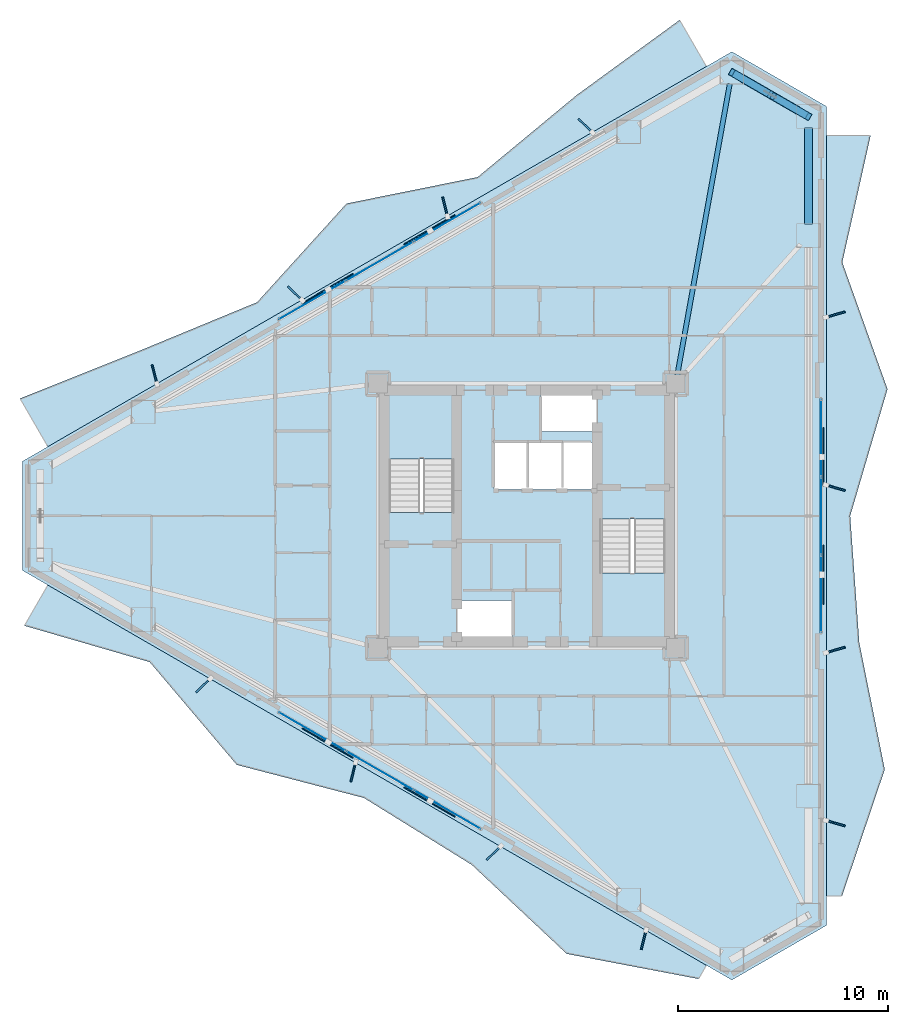
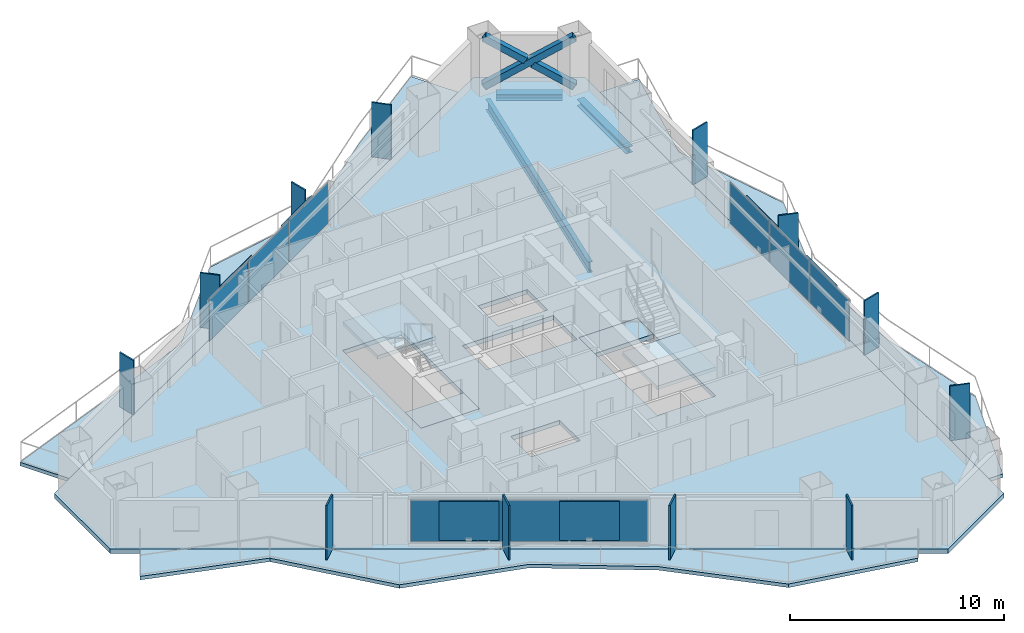
# One storey, part 14 of 23: 27 plates, 8 slabs, 3 beams, 3 members, 5 elements without a shape of their own.
"""IFC4 building model written with IfcOpenShell, lengths in metres."""

from ifc_helpers import new_model, si_unit, direction, frame, origin, origin_2d, place, context, subcontext, project, spatial, polyline, rectangle, hollow_rectangle, i_section, outline, extrude, material, layer, layer_set, material_profile, profile_set, type_object, element, aggregate, save


model = new_model("IFC4")

# Units and contexts
model_context = context("Model", 3, precision=1e-05, world=origin(), true_north=direction((0.0, 1.0)))
body_context = subcontext(model_context, "Body", "Model", "MODEL_VIEW")
ifc_project = project(units=[si_unit("LENGTHUNIT", "METRE"), si_unit("AREAUNIT", "SQUARE_METRE"), si_unit("VOLUMEUNIT", "CUBIC_METRE"), si_unit("PLANEANGLEUNIT", "RADIAN"), si_unit("MASSUNIT", "GRAM", prefix="KILO")], contexts=[model_context])

# Site, building, storey
site_placement = place(None, origin())
site = spatial("IfcSite", under=ifc_project, at=site_placement, CompositionType="ELEMENT")
building_placement = place(site_placement, origin())
building = spatial("IfcBuilding", under=site, at=building_placement, Name="Mersakhor Tower and Convention Hall", CompositionType="ELEMENT")
storey_placement = place(building_placement, frame((0.0, 0.0, 93.300048828125)))
storey = spatial("IfcBuildingStorey", under=building, at=storey_placement, Name="L25", CompositionType="ELEMENT", Elevation=93.300048828125)

# Beams
ifc_material_1 = material(Name="Steel S355", Category="steel")
ifc_material_profile_1 = material_profile(ifc_material_1, i_section(OverallWidth=0.22900390625, OverallDepth=0.6123046875, WebThickness=0.011962890625, FlangeThickness=0.01953125, at=origin_2d()), Name="UB 610x229x125")
ifc_profile_set_1 = profile_set([ifc_material_profile_1], Name="Steel S355")
beam_type_1 = type_object("IfcBeamType", Name="BM-PR-610", PredefinedType="BEAM", material=ifc_profile_set_1)
beam_1_placement = place(storey_placement, frame((36.17626953125, 33.47314453125, -0.55615234375), z_axis=(0.177414716723, 0.984136178732, 0.0), x_axis=(-0.984136178732, 0.177414716723, 0.0)))
element("IfcBeam", 1, at=beam_1_placement, inside=storey, type_object=beam_type_1, Name="L25 Primary Floor Girder FG-2", PredefinedType="BEAM", context=body_context, shape_type="SweptSolid", body=[
    extrude(i_section(OverallWidth=0.22900390625, OverallDepth=0.6123046875, WebThickness=0.011962890625, FlangeThickness=0.01953125, at=origin_2d()), origin(), (0.0, 0.0, 1.0), 14.11328125),
])
ifc_material_2 = material(Name="Steel S355", Category="steel")
ifc_material_profile_2 = material_profile(ifc_material_2, i_section(OverallWidth=0.374755859375, OverallDepth=0.37451171875, WebThickness=0.0166015625, FlangeThickness=0.027099609375, at=origin_2d()), Name="UC 356x368x202")
ifc_profile_set_2 = profile_set([ifc_material_profile_2], Name="Steel S355")
beam_type_2 = type_object("IfcBeamType", Name="BM-SPD-UC356", PredefinedType="SPANDREL", material=ifc_profile_set_2)
beam_2_placement = place(storey_placement, frame((39.25927734375, 47.631103515625, -0.437255859375), z_axis=(0.866052319632, -0.499953377486, 0.0), x_axis=(0.499953377486, 0.866052319632, 0.0)))
element("IfcBeam", 2, at=beam_2_placement, inside=storey, type_object=beam_type_2, Name="L25 Perimeter Spandrel Beam SPB-04", PredefinedType="SPANDREL", context=body_context, shape_type="SweptSolid", body=[
    extrude(i_section(OverallWidth=0.374755859375, OverallDepth=0.37451171875, WebThickness=0.0166015625, FlangeThickness=0.027099609375, at=origin_2d()), origin(), (0.0, 0.0, 1.0), 3.111572265625),
])
beam_3_placement = place(storey_placement, frame((42.4345703125, 45.242919921875, -0.437255859375), z_axis=(0.0, -1.0, 0.0), x_axis=(1.0, 0.0, 0.0)))
element("IfcBeam", 3, at=beam_3_placement, inside=storey, type_object=beam_type_2, Name="L25 Perimeter Spandrel Beam SPB-05", PredefinedType="SPANDREL", context=body_context, shape_type="SweptSolid", body=[
    extrude(i_section(OverallWidth=0.374755859375, OverallDepth=0.37451171875, WebThickness=0.0166015625, FlangeThickness=0.027099609375, at=origin_2d()), origin(), (0.0, 0.0, 1.0), 4.566162109375),
])

# Members
ifc_material_3 = material(Name="Steel S460", Category="steel")
ifc_material_profile_3 = material_profile(ifc_material_3, hollow_rectangle(XDim=0.35009765625, YDim=0.35009765625, WallThickness=0.02001953125, at=origin_2d()), Name="SHS 350x350x20")
ifc_profile_set_3 = profile_set([ifc_material_profile_3], Name="Steel S460")
member_type = type_object("IfcMemberType", Name="MB-BRC-SHS350", PredefinedType="BRACE", material=ifc_profile_set_3)
member_1_placement = place(storey_placement, frame((38.77880859375, 47.90869140625, 0.14990234375), z_axis=(0.725633725484, -0.418933054415, 0.545848689986), x_axis=(0.49998946241, 0.866031487579, 0.0)))
element("IfcMember", 4, at=member_1_placement, inside=storey, type_object=member_type, Name="L25 Chamfer Braced Frame Diagonal CB-1A", PredefinedType="BRACE", context=body_context, shape_type="SweptSolid", body=[
    extrude(hollow_rectangle(XDim=0.35009765625, YDim=0.35009765625, WallThickness=0.02001953125, at=origin_2d()), origin(), (0.0, 0.0, 1.0), 5.0380859375),
])
member_2_placement = place(storey_placement, frame((42.4345703125, 45.798095703125, 0.14990234375), z_axis=(-0.725643177862, 0.418862922102, 0.545889943955), x_axis=(-0.499921796684, -0.866070549782, 0.0)))
element("IfcMember", 5, at=member_2_placement, inside=storey, type_object=member_type, Name="L25 Chamfer Braced Frame Diagonal CB-1B Lower Half", PredefinedType="BRACE", context=body_context, shape_type="SweptSolid", body=[
    extrude(hollow_rectangle(XDim=0.35009765625, YDim=0.35009765625, WallThickness=0.02001953125, at=origin_2d()), origin(), (0.0, 0.0, 1.0), 2.31982421875),
])
member_3_placement = place(storey_placement, frame((40.4619140625, 46.93701171875, 1.6337890625), z_axis=(-0.725635037856, 0.418918980369, 0.545857746783), x_axis=(-0.499976186015, -0.866039152359, 0.0)))
element("IfcMember", 6, at=member_3_placement, inside=storey, type_object=member_type, Name="L25 Chamfer Braced Frame Diagonal CB-1B Upper Half", PredefinedType="BRACE", context=body_context, shape_type="SweptSolid", body=[
    extrude(hollow_rectangle(XDim=0.35009765625, YDim=0.35009765625, WallThickness=0.02001953125, at=origin_2d()), origin(), (0.0, 0.0, 1.0), 2.319580078125),
])

# Curtain wall, plates
ifc_material_4 = material(Name="Dark solar low-E aluminium curtain wall", Category="aluminium")
ifc_layer_1 = layer(ifc_material_4, 0.159912109375)
ifc_layer_set_1 = layer_set([ifc_layer_1], Name="Dark solar low-E aluminium curtain wall")
curtain_wall_type = type_object("IfcCurtainWallType", Name="CW-SYS-01", PredefinedType="USERDEFINED", material=ifc_layer_set_1)
curtain_wall_1_placement = place(storey_placement, origin())
curtain_wall_1 = element("IfcCurtainWall", 7, at=curtain_wall_1_placement, inside=storey, type_object=curtain_wall_type, Name="L25 Dark-Glass Curtain Wall F1-B2", ObjectType="CURTAIN WALL", PredefinedType="USERDEFINED")
ifc_material_5 = material(Name="Dark solar double glazing", Category="glass")
ifc_layer_2 = layer(ifc_material_5, 0.02392578125)
ifc_layer_set_2 = layer_set([ifc_layer_2], Name="Dark solar double glazing")
plate_type_1 = type_object("IfcPlateType", Name="CWP-GLZ-24", PredefinedType="CURTAIN_PANEL", material=ifc_layer_set_2)
plate_1_placement = place(storey_placement, frame((18.75732421875, 37.042236328125, 0.260009765625), z_axis=(0.0, 0.0, 1.0), x_axis=(0.866026613339, 0.499997904985, 0.0)))
plate_1 = element("IfcPlate", 8, at=plate_1_placement, type_object=plate_type_1, Name="CW-01 panel 1.1", PredefinedType="CURTAIN_PANEL", context=body_context, shape_type="SweptSolid", body=[
    extrude(rectangle(XDim=3.630615234375, YDim=0.02392578125, at=origin_2d()), origin(), (0.0, 0.0, 1.0), 2.35009765625),
])
plate_2_placement = place(storey_placement, frame((21.982666015625, 38.904296875, 0.260009765625), z_axis=(0.0, 0.0, 1.0), x_axis=(0.866026613339, 0.499997904985, 0.0)))
plate_2 = element("IfcPlate", 9, at=plate_2_placement, type_object=plate_type_1, Name="CW-01 panel 2.1", PredefinedType="CURTAIN_PANEL", context=body_context, shape_type="SweptSolid", body=[
    extrude(rectangle(XDim=3.668212890625, YDim=0.02392578125, at=origin_2d()), origin(), (0.0, 0.0, 1.0), 2.35009765625),
])
plate_3_placement = place(storey_placement, frame((25.2080078125, 40.7666015625, 0.260009765625), z_axis=(0.0, 0.0, 1.0), x_axis=(0.866026613339, 0.499997904985, 0.0)))
plate_3 = element("IfcPlate", 10, at=plate_3_placement, type_object=plate_type_1, Name="CW-01 panel 3.1", PredefinedType="CURTAIN_PANEL", context=body_context, shape_type="SweptSolid", body=[
    extrude(rectangle(XDim=3.630615234375, YDim=0.02392578125, at=origin_2d()), origin(), (0.0, 0.0, 1.0), 2.35009765625),
])
aggregate(curtain_wall_1, [plate_1, plate_2, plate_3])

curtain_wall_2_placement = place(storey_placement, origin())
curtain_wall_2 = element("IfcCurtainWall", 11, at=curtain_wall_2_placement, inside=storey, type_object=curtain_wall_type, Name="L25 Dark-Glass Curtain Wall F2-B2", ObjectType="CURTAIN WALL", PredefinedType="USERDEFINED")
plate_4_placement = place(storey_placement, frame((43.03466796875, 30.474365234375, 0.260009765625), z_axis=(0.0, 0.0, 1.0), x_axis=(0.0, -1.0, 0.0)))
plate_4 = element("IfcPlate", 12, at=plate_4_placement, type_object=plate_type_1, Name="CW-01 panel 1.1", PredefinedType="CURTAIN_PANEL", context=body_context, shape_type="SweptSolid", body=[
    extrude(rectangle(XDim=3.630615234375, YDim=0.02392578125, at=origin_2d()), origin(), (0.0, 0.0, 1.0), 2.35009765625),
])
plate_5_placement = place(storey_placement, frame((43.03466796875, 26.75, 0.260009765625), z_axis=(0.0, 0.0, 1.0), x_axis=(0.0, -1.0, 0.0)))
plate_5 = element("IfcPlate", 13, at=plate_5_placement, type_object=plate_type_1, Name="CW-01 panel 2.1", PredefinedType="CURTAIN_PANEL", context=body_context, shape_type="SweptSolid", body=[
    extrude(rectangle(XDim=3.668212890625, YDim=0.02392578125, at=origin_2d()), origin(), (0.0, 0.0, 1.0), 2.35009765625),
])
plate_6_placement = place(storey_placement, frame((43.03466796875, 23.025634765625, 0.260009765625), z_axis=(0.0, 0.0, 1.0), x_axis=(0.0, -1.0, 0.0)))
plate_6 = element("IfcPlate", 14, at=plate_6_placement, type_object=plate_type_1, Name="CW-01 panel 3.1", PredefinedType="CURTAIN_PANEL", context=body_context, shape_type="SweptSolid", body=[
    extrude(rectangle(XDim=3.630615234375, YDim=0.02392578125, at=origin_2d()), origin(), (0.0, 0.0, 1.0), 2.35009765625),
])
aggregate(curtain_wall_2, [plate_4, plate_5, plate_6])

curtain_wall_3_placement = place(storey_placement, origin())
curtain_wall_3 = element("IfcCurtainWall", 15, at=curtain_wall_3_placement, inside=storey, type_object=curtain_wall_type, Name="L25 Dark-Glass Curtain Wall F3-B2", ObjectType="CURTAIN WALL", PredefinedType="USERDEFINED")
plate_7_placement = place(storey_placement, frame((25.2080078125, 12.7333984375, 0.260009765625), z_axis=(0.0, 0.0, 1.0), x_axis=(-0.866026613339, 0.499997904985, 0.0)))
plate_7 = element("IfcPlate", 16, at=plate_7_placement, type_object=plate_type_1, Name="CW-01 panel 1.1", PredefinedType="CURTAIN_PANEL", context=body_context, shape_type="SweptSolid", body=[
    extrude(rectangle(XDim=3.630615234375, YDim=0.02392578125, at=origin_2d()), origin(), (0.0, 0.0, 1.0), 2.35009765625),
])
plate_8_placement = place(storey_placement, frame((21.982666015625, 14.595703125, 0.260009765625), z_axis=(0.0, 0.0, 1.0), x_axis=(-0.866026613339, 0.499997904985, 0.0)))
plate_8 = element("IfcPlate", 17, at=plate_8_placement, type_object=plate_type_1, Name="CW-01 panel 2.1", PredefinedType="CURTAIN_PANEL", context=body_context, shape_type="SweptSolid", body=[
    extrude(rectangle(XDim=3.668212890625, YDim=0.02392578125, at=origin_2d()), origin(), (0.0, 0.0, 1.0), 2.35009765625),
])
plate_9_placement = place(storey_placement, frame((18.75732421875, 16.457763671875, 0.260009765625), z_axis=(0.0, 0.0, 1.0), x_axis=(-0.866026613339, 0.499997904985, 0.0)))
plate_9 = element("IfcPlate", 18, at=plate_9_placement, type_object=plate_type_1, Name="CW-01 panel 3.1", PredefinedType="CURTAIN_PANEL", context=body_context, shape_type="SweptSolid", body=[
    extrude(rectangle(XDim=3.630615234375, YDim=0.02392578125, at=origin_2d()), origin(), (0.0, 0.0, 1.0), 2.35009765625),
])
aggregate(curtain_wall_3, [plate_7, plate_8, plate_9])

# Plates
ifc_material_6 = material(Name="Ceramic-clad aluminium Zone 2 emerald-teal", Category="aluminium")
ifc_material_7 = material(Name="Ceramic-clad aluminium Zone 1 cobalt-slate", Category="masonry")
ifc_layer_3 = layer(ifc_material_7, 0.080078125)
ifc_layer_set_3 = layer_set([ifc_layer_3], Name="Ceramic-clad aluminium Zone 1 cobalt-slate")
plate_type_2 = type_object("IfcPlateType", Name="PL-FIN-80", PredefinedType="USERDEFINED", material=ifc_layer_set_3)
for number, where, z_axis, x_axis, name in (
    (19, (11.240478515625, 33.4951171875, 0.0), (0.0, 0.0, 1.0), (-0.2419218956, 0.970295726276, 0.0), "L25 Zone 2 Coloured Brise-Soleil Fin F1-1"),
    (20, (17.94189453125, 37.364013671875, 0.0), (0.0, 0.0, 1.0), (-0.719339800339, 0.694658370459, 0.0), "L25 Zone 2 Coloured Brise-Soleil Fin F1-2"),
    (21, (25.0966796875, 41.4951171875, 0.0), (0.0, 0.0, 1.0), (-0.2419218956, 0.970295726276, 0.0), "L25 Zone 2 Coloured Brise-Soleil Fin F1-3"),
    (22, (31.798095703125, 45.364013671875, 0.0), (0.0, 0.0, 1.0), (-0.719339800339, 0.694658370459, 0.0), "L25 Zone 2 Coloured Brise-Soleil Fin F1-4"),
    (23, (43.72119140625, 36.35302734375, 0.0), (0.0, 0.0, 1.0), (0.961261695938, 0.275637355817, 0.0), "L25 Zone 2 Coloured Brise-Soleil Fin F2-1"),
    (24, (43.72119140625, 28.091064453125, 0.0), (0.0, 0.0, 1.0), (0.961261695938, -0.275637355817, 0.0), "L25 Zone 2 Coloured Brise-Soleil Fin F2-2"),
    (25, (43.72119140625, 20.35302734375, 0.0), (0.0, 0.0, 1.0), (0.961261695938, 0.275637355817, 0.0), "L25 Zone 2 Coloured Brise-Soleil Fin F2-3"),
    (26, (43.72119140625, 12.091064453125, 0.0), (0.0, 0.0, 1.0), (0.961261695938, -0.275637355817, 0.0), "L25 Zone 2 Coloured Brise-Soleil Fin F2-4"),
    (27, (34.57470703125, 6.532958984375, 0.0), (0.0, 0.0, 1.0), (-0.2419218956, -0.970295726276, 0.0), "L25 Zone 2 Coloured Brise-Soleil Fin F3-1"),
    (28, (27.419677734375, 10.663818359375, 0.0), (0.0, 0.0, 1.0), (-0.719339800339, -0.694658370459, 0.0), "L25 Zone 2 Coloured Brise-Soleil Fin F3-2"),
    (29, (20.71826171875, 14.532958984375, 0.0), (0.0, 0.0, 1.0), (-0.2419218956, -0.970295726276, 0.0), "L25 Zone 2 Coloured Brise-Soleil Fin F3-3"),
    (30, (13.563232421875, 18.663818359375, 0.0), (0.0, 0.0, 1.0), (-0.719339800339, -0.694658370459, 0.0), "L25 Zone 2 Coloured Brise-Soleil Fin F3-4"),
):
    element("IfcPlate", number, at=place(storey_placement, frame(where, z_axis=z_axis, x_axis=x_axis)), inside=storey, type_object=plate_type_2, material=ifc_material_6, Name=name, ObjectType="FIN", PredefinedType="USERDEFINED", context=body_context, shape_type="SweptSolid", body=[
        extrude(rectangle(XDim=0.949951171875, YDim=0.080078125, at=origin_2d()), origin(), (0.0, 0.0, 1.0), 3.10009765625),
    ])
ifc_material_8 = material(Name="Perforated ceramic cobogo solar screen", Category="aluminium")
ifc_layer_4 = layer(ifc_material_8, 0.055908203125)
ifc_layer_set_4 = layer_set([ifc_layer_4], Name="Perforated ceramic cobogo solar screen")
plate_type_3 = type_object("IfcPlateType", Name="PL-SCR-56", PredefinedType="USERDEFINED", material=ifc_layer_set_4)
for number, where, z_axis, x_axis, name in (
    (31, (19.50244140625, 37.58544921875, 0.39990234375), (0.0, 0.0, 1.0), (0.866025403784, 0.5, 0.0), "L25 Perforated Ceramic Solar Screen F1-1"),
    (32, (24.364990234375, 40.392822265625, 0.39990234375), (0.0, 0.0, 1.0), (0.866025403784, 0.5, 0.0), "L25 Perforated Ceramic Solar Screen F1-2"),
    (33, (43.132568359375, 29.557373046875, 0.39990234375), (0.0, 0.0, 1.0), (0.0, -1.0, 0.0), "L25 Perforated Ceramic Solar Screen F2-1"),
    (34, (43.132568359375, 23.942626953125, 0.39990234375), (0.0, 0.0, 1.0), (0.0, -1.0, 0.0), "L25 Perforated Ceramic Solar Screen F2-2"),
    (35, (24.364990234375, 13.107177734375, 0.39990234375), (0.0, 0.0, 1.0), (-0.866025403784, 0.5, 0.0), "L25 Perforated Ceramic Solar Screen F3-1"),
    (36, (19.50244140625, 15.91455078125, 0.39990234375), (0.0, 0.0, 1.0), (-0.866025403784, 0.5, 0.0), "L25 Perforated Ceramic Solar Screen F3-2"),
):
    element("IfcPlate", number, at=place(storey_placement, frame(where, z_axis=z_axis, x_axis=x_axis)), inside=storey, type_object=plate_type_3, Name=name, ObjectType="SCREEN", PredefinedType="USERDEFINED", context=body_context, shape_type="SweptSolid", body=[
        extrude(rectangle(XDim=2.800048828125, YDim=0.055908203125, at=origin_2d()), origin(), (0.0, 0.0, 1.0), 2.219970703125),
    ])

# Slabs
ifc_material_9 = material(Name="Concrete C45/55", Category="concrete")
ifc_layer_5 = layer(ifc_material_9, 0.199951171875)
ifc_layer_set_5 = layer_set([ifc_layer_5], Name="Concrete C45/55")
slab_type_1 = type_object("IfcSlabType", Name="SL-BAL-200", PredefinedType="FLOOR", material=ifc_layer_set_5)
slab_1_placement = place(storey_placement, frame((0.0, 0.0, -0.199951171875)))
element("IfcSlab", 37, at=slab_1_placement, inside=storey, type_object=slab_type_1, Name="L25 Sinusoidal Balcony Slab Face 1", PredefinedType="FLOOR", context=body_context, shape_type="SweptSolid", body=[
    extrude(outline(polyline([(6.149169921875, 30.051513671875), (37.56640625, 48.190185546875), (36.28759765625, 50.405029296875), (31.375244140625, 46.82080078125), (26.651611328125, 42.91015625), (20.397705078125, 41.649658203125), (16.133544921875, 36.943115234375), (10.496337890625, 34.614501953125), (4.8212890625, 32.351318359375), (6.149169921875, 30.051513671875)])), origin(), (0.0, 0.0, 1.0), 0.199951171875),
])
slab_2_placement = place(storey_placement, frame((0.0, 0.0, -0.199951171875)))
element("IfcSlab", 38, at=slab_2_placement, inside=storey, type_object=slab_type_1, Name="L25 Sinusoidal Balcony Slab Face 2", PredefinedType="FLOOR", context=body_context, shape_type="SweptSolid", body=[
    extrude(outline(polyline([(43.28466796875, 44.888671875), (43.28466796875, 8.611328125), (44.03466796875, 8.611328125), (46.0732421875, 14.657470703125), (44.857177734375, 20.703857421875), (44.42333984375, 26.75), (46.20458984375, 32.796142578125), (44.0478515625, 38.842529296875), (45.397705078125, 44.888671875), (43.28466796875, 44.888671875)])), origin(), (0.0, 0.0, 1.0), 0.199951171875),
])
slab_3_placement = place(storey_placement, frame((0.0, 0.0, -0.199951171875)))
element("IfcSlab", 39, at=slab_3_placement, inside=storey, type_object=slab_type_1, Name="L25 Sinusoidal Balcony Slab Face 3", PredefinedType="FLOOR", context=body_context, shape_type="SweptSolid", body=[
    extrude(outline(polyline([(37.56640625, 5.309814453125), (6.149169921875, 23.448486328125), (5.02978515625, 21.510009765625), (11.01025390625, 19.77587890625), (15.16162109375, 14.87353515625), (21.231201171875, 13.294189453125), (26.37158203125, 10.10498046875), (30.900634765625, 5.857177734375), (37.19140625, 4.660400390625), (37.56640625, 5.309814453125)])), origin(), (0.0, 0.0, 1.0), 0.199951171875),
])
ifc_material_10 = material(Name="Concrete C40/50", Category="concrete")
ifc_layer_6 = layer(ifc_material_10, 0.25)
ifc_layer_set_6 = layer_set([ifc_layer_6], Name="Concrete C40/50")
slab_type_2 = type_object("IfcSlabType", Name="SL-FLR-250", PredefinedType="FLOOR", material=ifc_layer_set_6)
slab_4_placement = place(storey_placement, frame((0.0, 0.0, -0.25)))
element("IfcSlab", 40, at=slab_4_placement, inside=storey, type_object=slab_type_2, Name="L25 ST-1 Structural Stair Floor Landing", PredefinedType="LANDING", context=body_context, shape_type="SweptSolid", body=[
    extrude(outline(polyline([(25.550048828125, 25.39990234375), (25.550048828125, 26.89990234375), (22.39990234375, 26.89990234375), (22.39990234375, 25.39990234375), (25.550048828125, 25.39990234375)])), origin(), (0.0, 0.0, 1.0), 0.25),
])
slab_5_placement = place(storey_placement, frame((0.0, 0.0, -0.25)))
element("IfcSlab", 41, at=slab_5_placement, inside=storey, type_object=slab_type_2, Name="L25 ST-2 Structural Stair Floor Landing", PredefinedType="LANDING", context=body_context, shape_type="SweptSolid", body=[
    extrude(outline(polyline([(32.449951171875, 28.10009765625), (32.449951171875, 26.60009765625), (35.60009765625, 26.60009765625), (35.60009765625, 28.10009765625), (32.449951171875, 28.10009765625)])), origin(), (0.0, 0.0, 1.0), 0.25),
])
slab_6_placement = place(storey_placement, frame((0.0, 0.0, -0.25)))
element("IfcSlab", 42, at=slab_6_placement, inside=storey, type_object=slab_type_2, Name="Tower L25 Structural Floor Slab", PredefinedType="FLOOR", context=body_context, shape_type="SweptSolid", body=[
    extrude(outline(polyline([(4.936767578125, 29.3515625), (38.77880859375, 48.89013671875), (43.28466796875, 46.288818359375), (43.28466796875, 7.211181640625), (38.77880859375, 4.60986328125), (4.936767578125, 24.1484375), (4.936767578125, 29.3515625)]), holes=[polyline([(25.550048828125, 25.39990234375), (25.550048828125, 32.699951171875), (22.39990234375, 32.699951171875), (22.39990234375, 25.39990234375), (25.550048828125, 25.39990234375)]), polyline([(32.449951171875, 28.10009765625), (32.449951171875, 20.800048828125), (35.60009765625, 20.800048828125), (35.60009765625, 28.10009765625), (32.449951171875, 28.10009765625)]), polyline([(25.679931640625, 20.820068359375), (25.679931640625, 22.719970703125), (28.320068359375, 22.719970703125), (28.320068359375, 20.820068359375), (25.679931640625, 20.820068359375)]), polyline([(29.679931640625, 30.780029296875), (29.679931640625, 32.679931640625), (32.320068359375, 32.679931640625), (32.320068359375, 30.780029296875), (29.679931640625, 30.780029296875)]), polyline([(27.429931640625, 28.0), (27.429931640625, 30.25), (32.320068359375, 30.25), (32.320068359375, 28.0), (27.429931640625, 28.0)])]), origin(), (0.0, 0.0, 1.0), 0.25),
])

# Stair, slab
ifc_material_11 = material(Name="Concrete C45/55", Category="concrete")
stair_type = type_object("IfcStairType", Name="ST-TWR-20R", PredefinedType="HALF_TURN_STAIR", material=ifc_material_11)
stair_1_placement = place(storey_placement, origin())
stair_1 = element("IfcStair", 43, at=stair_1_placement, inside=storey, type_object=stair_type, Name="L25 Tower Protected Exit Stair ST-1", PredefinedType="HALF_TURN_STAIR")
ifc_material_12 = material(Name="Concrete C45/55", Category="concrete")
ifc_layer_7 = layer(ifc_material_12, 0.199951171875)
ifc_layer_set_7 = layer_set([ifc_layer_7], Name="Concrete C45/55")
slab_type_3 = type_object("IfcSlabType", Name="SL-LAND-200", PredefinedType="LANDING", material=ifc_layer_set_7)
slab_7_placement = place(storey_placement, frame((0.0, 0.0, 1.449951171875)))
slab_7 = element("IfcSlab", 44, at=slab_7_placement, type_object=slab_type_3, Name="ST-1 landing 1", PredefinedType="LANDING", context=body_context, shape_type="SweptSolid", body=[
    extrude(outline(polyline([(25.550048828125, 29.465087890625), (25.550048828125, 32.699951171875), (22.39990234375, 32.699951171875), (22.39990234375, 29.465087890625), (25.550048828125, 29.465087890625)])), origin(), (0.0, 0.0, 1.0), 0.199951171875),
])
aggregate(stair_1, [slab_7])

stair_2_placement = place(storey_placement, origin())
stair_2 = element("IfcStair", 45, at=stair_2_placement, inside=storey, type_object=stair_type, Name="L25 Tower Protected Exit Stair ST-2", PredefinedType="HALF_TURN_STAIR")
slab_8_placement = place(storey_placement, frame((0.0, 0.0, 1.449951171875)))
slab_8 = element("IfcSlab", 46, at=slab_8_placement, type_object=slab_type_3, Name="ST-2 landing 1", PredefinedType="LANDING", context=body_context, shape_type="SweptSolid", body=[
    extrude(outline(polyline([(32.449951171875, 24.034912109375), (32.449951171875, 20.800048828125), (35.60009765625, 20.800048828125), (35.60009765625, 24.034912109375), (32.449951171875, 24.034912109375)])), origin(), (0.0, 0.0, 1.0), 0.199951171875),
])
aggregate(stair_2, [slab_8])

save(model, "model.ifc")
